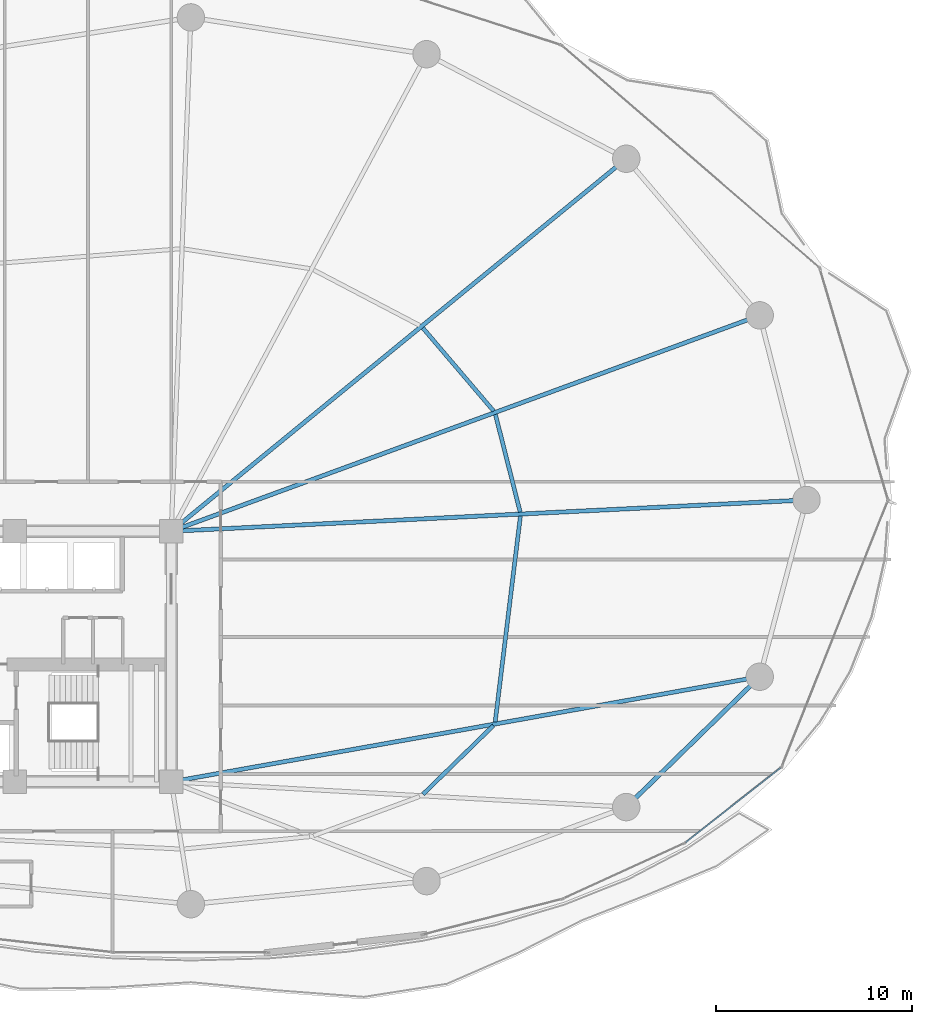
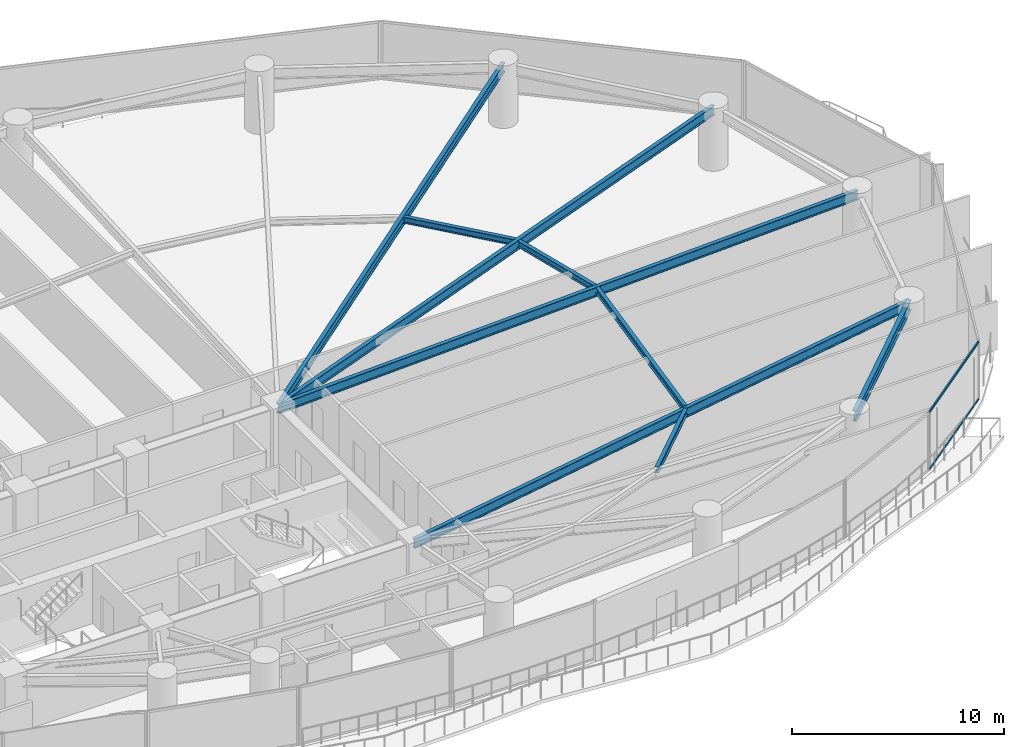
# One storey, part 14 of 33: 9 beams, 2 members, 1 element without a shape of its own.
"""IFC4 building model written with IfcOpenShell, lengths in metres."""

from ifc_helpers import new_model, si_unit, direction, frame, origin, origin_2d, place, context, subcontext, project, spatial, hollow_rectangle, i_section, extrude, material, layer, layer_set, material_profile, profile_set, type_object, element, aggregate, save


model = new_model("IFC4")

# Units and contexts
model_context = context("Model", 3, precision=1e-05, world=origin(), true_north=direction((0.0, 1.0)))
body_context = subcontext(model_context, "Body", "Model", "MODEL_VIEW")
ifc_project = project(units=[si_unit("LENGTHUNIT", "METRE"), si_unit("AREAUNIT", "SQUARE_METRE"), si_unit("VOLUMEUNIT", "CUBIC_METRE"), si_unit("PLANEANGLEUNIT", "RADIAN"), si_unit("MASSUNIT", "GRAM", prefix="KILO")], contexts=[model_context])

# Site, building, storey
site_placement = place(None, origin())
site = spatial("IfcSite", under=ifc_project, at=site_placement, CompositionType="ELEMENT")
building_placement = place(site_placement, origin())
building = spatial("IfcBuilding", under=site, at=building_placement, Name="Kazevale Care Tower and Concert Hall", CompositionType="ELEMENT")
storey_placement = place(building_placement, frame((0.0, 0.0, 27.60009765625)))
storey = spatial("IfcBuildingStorey", under=building, at=storey_placement, Name="L06", CompositionType="ELEMENT", Elevation=27.60009765625)

# Curtain wall, members
ifc_material_1 = material(Name="Aluminium 6063-T6 and Low-E Glass", Category="aluminium")
ifc_layer = layer(ifc_material_1, 0.179931640625)
ifc_layer_set = layer_set([ifc_layer], Name="Aluminium 6063-T6 and Low-E Glass")
curtain_wall_type = type_object("IfcCurtainWallType", Name="Sheltered Concave Balcony Curtain Wall CW-5", PredefinedType="NOTDEFINED", material=ifc_layer_set)
curtain_wall_placement = place(storey_placement, origin())
curtain_wall = element("IfcCurtainWall", 1, at=curtain_wall_placement, inside=storey, type_object=curtain_wall_type, Name="cw:L06:f02", PredefinedType="NOTDEFINED")
ifc_material_2 = material(Name="Aluminium 6063-T6", Category="aluminium")
ifc_material_profile_1 = material_profile(ifc_material_2, hollow_rectangle(XDim=0.074951171875, YDim=0.1201171875, WallThickness=0.00390625, at=origin_2d()), Name="ALU75x120x4")
ifc_profile_set_1 = profile_set([ifc_material_profile_1], Name="Aluminium 6063-T6")
member_type = type_object("IfcMemberType", Name="CW-5 Transom ALU75x120x4", PredefinedType="USERDEFINED", material=ifc_profile_set_1)
member_1_placement = place(storey_placement, frame((75.123046875, 24.317626953125, 0.037353515625), z_axis=(-0.78633897536, -0.617795286344, 0.0), x_axis=(0.617795286344, -0.78633897536, 0.0)))
member_1 = element("IfcMember", 2, at=member_1_placement, type_object=member_type, Name="CW-5 transom 1.1", ObjectType="TRANSOM", PredefinedType="USERDEFINED", context=body_context, shape_type="SweptSolid", body=[
    extrude(hollow_rectangle(XDim=0.074951171875, YDim=0.1201171875, WallThickness=0.00390625, at=origin_2d()), origin(), (0.0, 0.0, 1.0), 6.15771484375),
])
member_2_placement = place(storey_placement, frame((75.123046875, 24.317626953125, 3.322509765625), z_axis=(-0.78633897536, -0.617795286344, 0.0), x_axis=(0.617795286344, -0.78633897536, 0.0)))
member_2 = element("IfcMember", 3, at=member_2_placement, type_object=member_type, Name="CW-5 transom 1.2", ObjectType="TRANSOM", PredefinedType="USERDEFINED", context=body_context, shape_type="SweptSolid", body=[
    extrude(hollow_rectangle(XDim=0.074951171875, YDim=0.1201171875, WallThickness=0.00390625, at=origin_2d()), origin(), (0.0, 0.0, 1.0), 6.15771484375),
])
aggregate(curtain_wall, [member_1, member_2])

# Beams
ifc_material_3 = material(Name="Steel ASTM A572 Gr 50", Category="steel")
ifc_material_profile_2 = material_profile(ifc_material_3, i_section(OverallWidth=0.2119140625, OverallDepth=0.5439453125, WebThickness=0.01318359375, FlangeThickness=0.021240234375, at=origin_2d()), Name="W530x123")
ifc_profile_set_2 = profile_set([ifc_material_profile_2], Name="Steel ASTM A572 Gr 50")
beam_type_1 = type_object("IfcBeamType", Name="Radial Floor Girder W530x123", PredefinedType="BEAM", material=ifc_profile_set_2)
beam_1_placement = place(storey_placement, frame((44.0, 36.39990234375, 3.087890625), z_axis=(0.998786488782, 0.049249871327, 0.0), x_axis=(-0.049249871327, 0.998786488782, 0.0)))
element("IfcBeam", 4, at=beam_1_placement, inside=storey, type_object=beam_type_1, Name="beam:L06:rad:01", PredefinedType="BEAM", context=body_context, shape_type="SweptSolid", body=[
    extrude(i_section(OverallWidth=0.2119140625, OverallDepth=0.5439453125, WebThickness=0.01318359375, FlangeThickness=0.021240234375, at=origin_2d()), origin(), (0.0, 0.0, 1.0), 32.4892578125),
])
beam_2_placement = place(storey_placement, frame((44.0, 36.39990234375, 3.087890625), z_axis=(0.938795458019, 0.34447509054, 0.0), x_axis=(-0.34447509054, 0.938795458019, 0.0)))
element("IfcBeam", 5, at=beam_2_placement, inside=storey, type_object=beam_type_1, Name="beam:L06:rad:02", PredefinedType="BEAM", context=body_context, shape_type="SweptSolid", body=[
    extrude(i_section(OverallWidth=0.2119140625, OverallDepth=0.5439453125, WebThickness=0.01318359375, FlangeThickness=0.021240234375, at=origin_2d()), origin(), (0.0, 0.0, 1.0), 32.019775390625),
])
beam_3_placement = place(storey_placement, frame((44.0, 36.39990234375, 3.087890625), z_axis=(0.773704467398, 0.633546681097, 0.0), x_axis=(-0.633546681097, 0.773704467398, 0.0)))
element("IfcBeam", 6, at=beam_3_placement, inside=storey, type_object=beam_type_1, Name="beam:L06:rad:03", PredefinedType="BEAM", context=body_context, shape_type="SweptSolid", body=[
    extrude(i_section(OverallWidth=0.2119140625, OverallDepth=0.5439453125, WebThickness=0.01318359375, FlangeThickness=0.021240234375, at=origin_2d()), origin(), (0.0, 0.0, 1.0), 30.037353515625),
])
beam_4_placement = place(storey_placement, frame((44.0, 23.60009765625, 3.087890625), z_axis=(0.984416208219, 0.175854283415, 0.0), x_axis=(-0.175854283415, 0.984416208219, 0.0)))
element("IfcBeam", 7, at=beam_4_placement, inside=storey, type_object=beam_type_1, Name="beam:L06:rad:16", PredefinedType="BEAM", context=body_context, shape_type="SweptSolid", body=[
    extrude(i_section(OverallWidth=0.2119140625, OverallDepth=0.5439453125, WebThickness=0.01318359375, FlangeThickness=0.021240234375, at=origin_2d()), origin(), (0.0, 0.0, 1.0), 30.535888671875),
])
ifc_material_profile_3 = material_profile(ifc_material_3, i_section(OverallWidth=0.22900390625, OverallDepth=0.612060546875, WebThickness=0.011962890625, FlangeThickness=0.01953125, at=origin_2d()), Name="W610x125")
ifc_profile_set_3 = profile_set([ifc_material_profile_3], Name="Steel ASTM A572 Gr 50")
beam_type_2 = type_object("IfcBeamType", Name="Ring Spandrel Beam W610x125", PredefinedType="SPANDREL", material=ifc_profile_set_3)
beam_5_placement = place(storey_placement, frame((67.239990234375, 22.31005859375, 3.053955078125), z_axis=(0.715457453508, 0.698656304788, 0.0), x_axis=(-0.698656304788, 0.715457453508, 0.0)))
element("IfcBeam", 8, at=beam_5_placement, inside=storey, type_object=beam_type_2, Name="beam:L06:ring:15", PredefinedType="SPANDREL", context=body_context, shape_type="SweptSolid", body=[
    extrude(i_section(OverallWidth=0.22900390625, OverallDepth=0.612060546875, WebThickness=0.011962890625, FlangeThickness=0.01953125, at=origin_2d()), origin(), (0.0, 0.0, 1.0), 9.532470703125),
])
ifc_material_profile_4 = material_profile(ifc_material_3, i_section(OverallWidth=0.205078125, OverallDepth=0.35400390625, WebThickness=0.009521484375, FlangeThickness=0.016845703125, at=origin_2d()), Name="W360x79")
ifc_profile_set_4 = profile_set([ifc_material_profile_4], Name="Steel ASTM A572 Gr 50")
beam_type_3 = type_object("IfcBeamType", Name="Secondary Floor Joist W360x79", PredefinedType="JOIST", material=ifc_profile_set_4)
beam_6_placement = place(storey_placement, frame((61.822021484375, 37.382080078125, 3.182861328125), z_axis=(-0.24568570229, 0.969349542575, 0.0), x_axis=(-0.969349542575, -0.24568570229, 0.0)))
element("IfcBeam", 9, at=beam_6_placement, inside=storey, type_object=beam_type_3, Name="beam:L06:joist:01", PredefinedType="JOIST", context=body_context, shape_type="SweptSolid", body=[
    extrude(i_section(OverallWidth=0.205078125, OverallDepth=0.35400390625, WebThickness=0.009521484375, FlangeThickness=0.016845703125, at=origin_2d()), origin(), (0.0, 0.0, 1.0), 5.140380859375),
])
beam_7_placement = place(storey_placement, frame((60.465087890625, 42.5458984375, 3.182861328125), z_axis=(-0.648685510477, 0.761056573783, 0.0), x_axis=(-0.761056573783, -0.648685510477, 0.0)))
element("IfcBeam", 10, at=beam_7_placement, inside=storey, type_object=beam_type_3, Name="beam:L06:joist:02", PredefinedType="JOIST", context=body_context, shape_type="SweptSolid", body=[
    extrude(i_section(OverallWidth=0.205078125, OverallDepth=0.35400390625, WebThickness=0.009521484375, FlangeThickness=0.016845703125, at=origin_2d()), origin(), (0.0, 0.0, 1.0), 5.57275390625),
])
beam_8_placement = place(storey_placement, frame((56.85693359375, 22.964111328125, 3.182861328125), z_axis=(0.715521089339, 0.698591132717, 0.0), x_axis=(-0.698591132717, 0.715521089339, 0.0)))
element("IfcBeam", 11, at=beam_8_placement, inside=storey, type_object=beam_type_3, Name="beam:L06:joist:15", PredefinedType="JOIST", context=body_context, shape_type="SweptSolid", body=[
    extrude(i_section(OverallWidth=0.205078125, OverallDepth=0.35400390625, WebThickness=0.009521484375, FlangeThickness=0.016845703125, at=origin_2d()), origin(), (0.0, 0.0, 1.0), 5.03271484375),
])
beam_9_placement = place(storey_placement, frame((60.5458984375, 26.657958984375, 3.182861328125), z_axis=(0.1216468088, 0.992573450133, 0.0), x_axis=(-0.992573450133, 0.1216468088, 0.0)))
element("IfcBeam", 12, at=beam_9_placement, inside=storey, type_object=beam_type_3, Name="beam:L06:joist:16", PredefinedType="JOIST", context=body_context, shape_type="SweptSolid", body=[
    extrude(i_section(OverallWidth=0.205078125, OverallDepth=0.35400390625, WebThickness=0.009521484375, FlangeThickness=0.016845703125, at=origin_2d()), origin(), (0.0, 0.0, 1.0), 10.5966796875),
])

save(model, "model.ifc")
